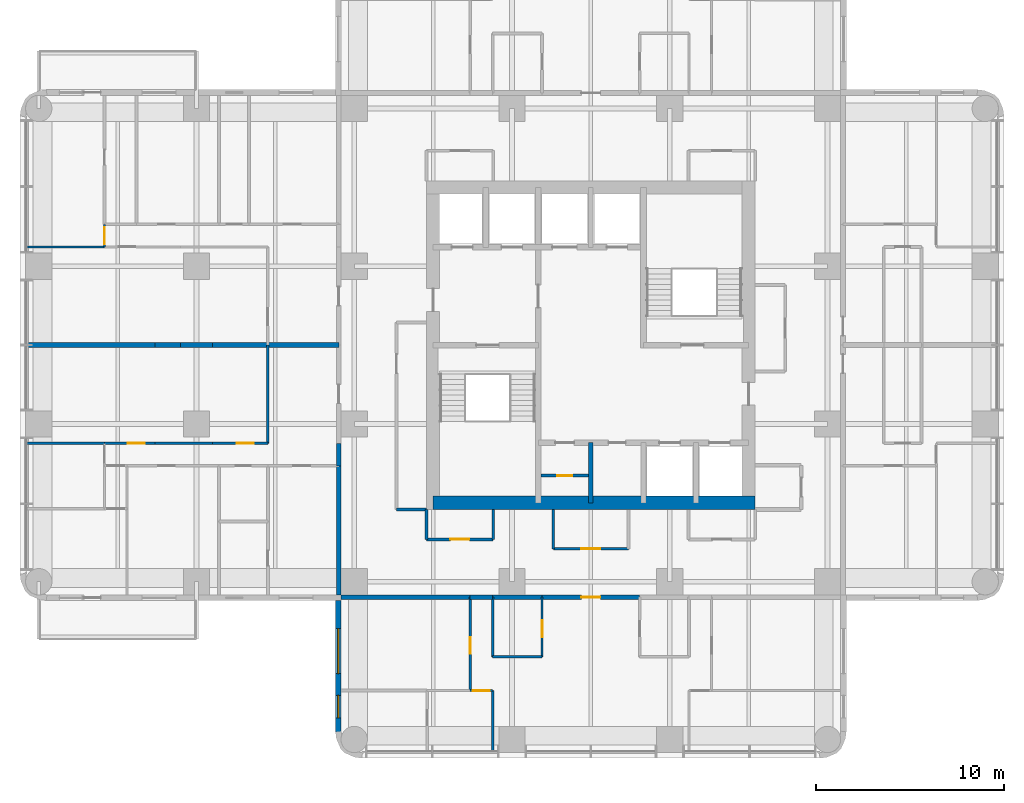
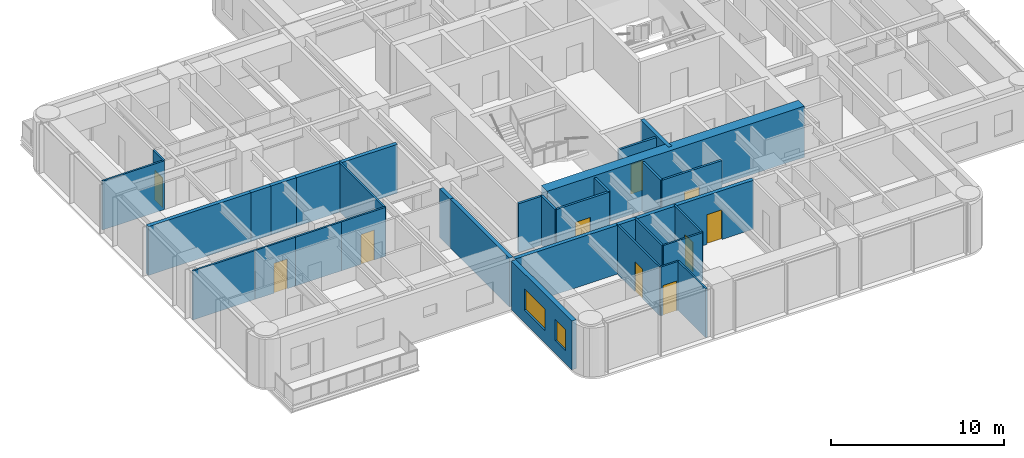
# One storey, part 5 of 11: 34 walls, 10 doors, 2 windows, 12 openings.
"""IFC4 building model written with IfcOpenShell, lengths in metres."""

from ifc_helpers import new_model, si_unit, direction, frame, frame_2d, origin, place, context, subcontext, project, spatial, rectangle, extrude, material, layer, layer_set, type_object, element, fill, save


model = new_model("IFC4")

# Units and contexts
model_context = context("Model", 3, precision=1e-05, world=origin(), true_north=direction((0.0, 1.0)))
body_context = subcontext(model_context, "Body", "Model", "MODEL_VIEW")
ifc_project = project(units=[si_unit("LENGTHUNIT", "METRE"), si_unit("AREAUNIT", "SQUARE_METRE"), si_unit("VOLUMEUNIT", "CUBIC_METRE"), si_unit("PLANEANGLEUNIT", "RADIAN"), si_unit("MASSUNIT", "GRAM", prefix="KILO")], contexts=[model_context])

# Site, building, storey
site_placement = place(None, origin())
site = spatial("IfcSite", under=ifc_project, at=site_placement, CompositionType="ELEMENT")
building_placement = place(site_placement, origin())
building = spatial("IfcBuilding", under=site, at=building_placement, Name="Torre Alcanfor", CompositionType="ELEMENT")
storey_placement = place(building_placement, frame((0.0, 0.0, 197.699951171875)))
storey = spatial("IfcBuildingStorey", under=building, at=storey_placement, Name="L51", CompositionType="ELEMENT", Elevation=197.699951171875)

# Wall, opening, door
ifc_material_1 = material(Name="Concrete block masonry, hollow blocks NMX-C-404 9 MPa", Category="masonry")
ifc_layer_1 = layer(ifc_material_1, 0.25)
ifc_layer_set_1 = layer_set([ifc_layer_1], Name="Apartment entrance wall 250 EI 60")
wall_type_1 = type_object("IfcWallType", Name="Apartment entrance wall 250 EI 60", PredefinedType="PARTITIONING", material=ifc_layer_set_1)
wall_1_placement = place(storey_placement, frame((32.0, 15.97509765625, 0.0), z_axis=(0.0, 0.0, 1.0), x_axis=(-1.0, 0.0, 0.0)))
wall_1 = element("IfcWall", 1, at=wall_1_placement, inside=storey, type_object=wall_type_1, Name="Partition L51-CORR / L51-SX-ZAG", PredefinedType="PARTITIONING", context=body_context, shape_type="SweptSolid", body=[
    extrude(rectangle(XDim=5.199951171875, YDim=0.25, at=frame_2d((2.60009765625, 0.0))), origin(), (0.0, 0.0, 1.0), 3.449951171875),
])
opening_1_placement = place(wall_1_placement, frame((2.10009765625, 0.0, 0.0)))
opening_1 = element("IfcOpeningElement", 2, at=opening_1_placement, cuts=wall_1, Name="Opening D-A1", PredefinedType="OPENING", context=body_context, shape_type="SweptSolid", body=[
    extrude(rectangle(XDim=1.0, YDim=2.10009765625, at=frame_2d((0.5, 1.050048828125))), frame((0.0, 0.135009765625, 0.0), z_axis=(0.0, -1.0, 0.0), x_axis=(1.0, 0.0, 0.0)), (0.0, 0.0, 1.0), 0.27001953125),
])
ifc_material_2 = material(Name="Galvanised steel sheet ASTM A653", Category="steel")
door_type_1 = type_object("IfcDoorType", Name="Apartment entrance door FD60 1000x2100", OperationType="SINGLE_SWING_LEFT", PredefinedType="DOOR", material=ifc_material_2)
door_1_placement = place(opening_1_placement, origin())
door_1 = element("IfcDoor", 3, at=door_1_placement, inside=storey, type_object=door_type_1, Name="Apartment entrance L51-SX", OperationType="SINGLE_SWING_LEFT", OverallHeight=2.10009765625, OverallWidth=1.0, PredefinedType="DOOR", context=body_context, shape_type="SweptSolid", body=[
    extrude(rectangle(XDim=1.0, YDim=2.10009765625, at=frame_2d((0.5, 1.050048828125))), frame((0.0, 0.02490234375, 0.0), z_axis=(0.0, -1.0, 0.0), x_axis=(1.0, 0.0, 0.0)), (0.0, 0.0, 1.0), 0.050048828125),
])
fill(opening_1, door_1)

# Walls
wall_2_placement = place(storey_placement, frame((26.800048828125, 15.97509765625, 0.0), z_axis=(0.0, 0.0, 1.0), x_axis=(-1.0, 0.0, 0.0)))
element("IfcWall", 4, at=wall_2_placement, inside=storey, type_object=wall_type_1, Name="Partition L51-CORR / L51-SX-KITCHEN", PredefinedType="PARTITIONING", context=body_context, shape_type="SweptSolid", body=[
    extrude(rectangle(XDim=2.629150390625, YDim=0.25, at=frame_2d((1.314453125, 0.0))), origin(), (0.0, 0.0, 1.0), 3.449951171875),
])
wall_3_placement = place(storey_placement, frame((24.1708984375, 15.97509765625, 0.0), z_axis=(0.0, 0.0, 1.0), x_axis=(-1.0, 0.0, 0.0)))
element("IfcWall", 5, at=wall_3_placement, inside=storey, type_object=wall_type_1, Name="Partition L51-CORR / L51-SX-LIVING", PredefinedType="PARTITIONING", context=body_context, shape_type="SweptSolid", body=[
    extrude(rectangle(XDim=1.199951171875, YDim=0.25, at=frame_2d((0.60009765625, 0.0))), origin(), (0.0, 0.0, 1.0), 3.449951171875),
])
wall_4_placement = place(storey_placement, frame((22.970947265625, 15.97509765625, 0.0), z_axis=(0.0, 0.0, 1.0), x_axis=(-1.0, 0.0, 0.0)))
element("IfcWall", 6, at=wall_4_placement, inside=storey, type_object=wall_type_1, Name="Partition L51-CORR / L51-SX-BED3", PredefinedType="PARTITIONING", context=body_context, shape_type="SweptSolid", body=[
    extrude(rectangle(XDim=6.870849609375, YDim=0.25, at=frame_2d((3.435546875, 0.0))), origin(), (0.0, 0.0, 1.0), 3.449951171875),
])
wall_5_placement = place(storey_placement, frame((15.97509765625, 22.970947265625, 0.0), z_axis=(0.0, 0.0, 1.0), x_axis=(0.0, 1.0, 0.0)))
element("IfcWall", 7, at=wall_5_placement, inside=storey, type_object=wall_type_1, Name="Partition L51-CORR / L51-W1-HALL", PredefinedType="PARTITIONING", context=body_context, shape_type="SweptSolid", body=[
    extrude(rectangle(XDim=1.199951171875, YDim=0.25, at=frame_2d((0.60009765625, 0.0))), origin(), (0.0, 0.0, 1.0), 3.449951171875),
])
wall_6_placement = place(storey_placement, frame((15.97509765625, 16.10009765625, 0.0), z_axis=(0.0, 0.0, 1.0), x_axis=(0.0, 1.0, 0.0)))
element("IfcWall", 8, at=wall_6_placement, inside=storey, type_object=wall_type_1, Name="Partition L51-CORR / L51-W1-SERV", PredefinedType="PARTITIONING", context=body_context, shape_type="SweptSolid", body=[
    extrude(rectangle(XDim=6.870849609375, YDim=0.25, at=frame_2d((3.435546875, 0.0))), origin(), (0.0, 0.0, 1.0), 3.449951171875),
])

# Wall, opening, door
ifc_material_3 = material(Name="Gypsum board on steel studs", Category="steel")
ifc_layer_2 = layer(ifc_material_3, 0.1201171875)
ifc_layer_set_2 = layer_set([ifc_layer_2], Name="Apartment partition 120")
wall_type_2 = type_object("IfcWallType", Name="Apartment partition 120", PredefinedType="PARTITIONING", material=ifc_layer_set_2)
wall_7_placement = place(storey_placement, frame((26.800048828125, 15.97509765625, 0.0), z_axis=(0.0, 0.0, 1.0), x_axis=(0.0, -1.0, 0.0)))
wall_7 = element("IfcWall", 9, at=wall_7_placement, inside=storey, type_object=wall_type_2, Name="Partition L51-SX-ZAG / L51-SX-KITCHEN", PredefinedType="PARTITIONING", context=body_context, shape_type="SweptSolid", body=[
    extrude(rectangle(XDim=3.175048828125, YDim=0.1201171875, at=frame_2d((1.58740234375, 0.0))), origin(), (0.0, 0.0, 1.0), 3.449951171875),
])
opening_2_placement = place(wall_7_placement, frame((1.22509765625, 0.0, 0.0)))
opening_2 = element("IfcOpeningElement", 10, at=opening_2_placement, cuts=wall_7, Name="Opening D-R1", PredefinedType="OPENING", context=body_context, shape_type="SweptSolid", body=[
    extrude(rectangle(XDim=0.89990234375, YDim=2.10009765625, at=frame_2d((0.449951171875, 1.050048828125))), frame((0.0, 0.070068359375, 0.0), z_axis=(0.0, -1.0, 0.0), x_axis=(1.0, 0.0, 0.0)), (0.0, 0.0, 1.0), 0.14013671875),
])
ifc_material_4 = material(Name="Timber", Category="wood")
door_type_2 = type_object("IfcDoorType", Name="Internal door 900x2100", OperationType="SINGLE_SWING_LEFT", PredefinedType="DOOR", material=ifc_material_4)
door_2_placement = place(opening_2_placement, frame((0.89990234375, 0.0, 0.0), z_axis=(0.0, 0.0, 1.0), x_axis=(-1.0, 0.0, 0.0)))
door_2 = element("IfcDoor", 11, at=door_2_placement, inside=storey, type_object=door_type_2, Name="Door L51-SX kitchen", OperationType="SINGLE_SWING_LEFT", OverallHeight=2.10009765625, OverallWidth=0.89990234375, PredefinedType="DOOR", context=body_context, shape_type="SweptSolid", body=[
    extrude(rectangle(XDim=0.89990234375, YDim=2.10009765625, at=frame_2d((0.449951171875, 1.050048828125))), frame((0.0, 0.025146484375, 0.0), z_axis=(0.0, -1.0, 0.0), x_axis=(1.0, 0.0, 0.0)), (0.0, 0.0, 1.0), 0.050048828125),
])
fill(opening_2, door_2)

# Walls
wall_8_placement = place(storey_placement, frame((24.1708984375, 15.97509765625, 0.0), z_axis=(0.0, 0.0, 1.0), x_axis=(0.0, -1.0, 0.0)))
element("IfcWall", 12, at=wall_8_placement, inside=storey, type_object=wall_type_2, Name="Partition L51-SX-KITCHEN / L51-SX-LIVING", PredefinedType="PARTITIONING", context=body_context, shape_type="SweptSolid", body=[
    extrude(rectangle(XDim=3.175048828125, YDim=0.1201171875, at=frame_2d((1.58740234375, 0.0))), origin(), (0.0, 0.0, 1.0), 3.449951171875),
])
wall_9_placement = place(storey_placement, frame((24.1708984375, 12.800048828125, 0.0), z_axis=(0.0, 0.0, 1.0), x_axis=(1.0, 0.0, 0.0)))
element("IfcWall", 13, at=wall_9_placement, inside=storey, type_object=wall_type_2, Name="Partition L51-SX-KITCHEN / L51-SX-LIVING", PredefinedType="PARTITIONING", context=body_context, shape_type="SweptSolid", body=[
    extrude(rectangle(XDim=2.629150390625, YDim=0.1201171875, at=frame_2d((1.314453125, 0.0))), origin(), (0.0, 0.0, 1.0), 3.449951171875),
])

# Wall, opening, door
wall_10_placement = place(storey_placement, frame((22.970947265625, 11.0, 0.0), z_axis=(0.0, 0.0, 1.0), x_axis=(0.0, 1.0, 0.0)))
wall_10 = element("IfcWall", 14, at=wall_10_placement, inside=storey, type_object=wall_type_2, Name="Partition L51-SX-LIVING / L51-SX-BED3", PredefinedType="PARTITIONING", context=body_context, shape_type="SweptSolid", body=[
    extrude(rectangle(XDim=4.97509765625, YDim=0.1201171875, at=frame_2d((2.487548828125, 0.0))), origin(), (0.0, 0.0, 1.0), 3.449951171875),
])
opening_3_placement = place(wall_10_placement, frame((1.949951171875, 0.0, 0.0)))
opening_3 = element("IfcOpeningElement", 15, at=opening_3_placement, cuts=wall_10, Name="Opening D-R1", PredefinedType="OPENING", context=body_context, shape_type="SweptSolid", body=[
    extrude(rectangle(XDim=0.89990234375, YDim=2.10009765625, at=frame_2d((0.449951171875, 1.050048828125))), frame((0.0, 0.070068359375, 0.0), z_axis=(0.0, -1.0, 0.0), x_axis=(1.0, 0.0, 0.0)), (0.0, 0.0, 1.0), 0.14013671875),
])
door_3_placement = place(opening_3_placement, origin())
door_3 = element("IfcDoor", 16, at=door_3_placement, inside=storey, type_object=door_type_2, Name="Door L51-SX bed3", OperationType="SINGLE_SWING_LEFT", OverallHeight=2.10009765625, OverallWidth=0.89990234375, PredefinedType="DOOR", context=body_context, shape_type="SweptSolid", body=[
    extrude(rectangle(XDim=0.89990234375, YDim=2.10009765625, at=frame_2d((0.449951171875, 1.050048828125))), frame((0.0, 0.02490234375, 0.0), z_axis=(0.0, -1.0, 0.0), x_axis=(1.0, 0.0, 0.0)), (0.0, 0.0, 1.0), 0.050048828125),
])
fill(opening_3, door_3)

# Wall
wall_11_placement = place(storey_placement, frame((24.1708984375, 7.75, 0.0), z_axis=(0.0, 0.0, 1.0), x_axis=(0.0, 1.0, 0.0)))
element("IfcWall", 17, at=wall_11_placement, inside=storey, type_object=wall_type_2, Name="Partition L51-SX-LIVING / L51-SX-BED1", PredefinedType="PARTITIONING", context=body_context, shape_type="SweptSolid", body=[
    extrude(rectangle(XDim=3.25, YDim=0.1201171875, at=frame_2d((1.625, 0.0))), origin(), (0.0, 0.0, 1.0), 3.449951171875),
])

# Wall, opening, door
wall_12_placement = place(storey_placement, frame((24.1708984375, 11.0, 0.0), z_axis=(0.0, 0.0, 1.0), x_axis=(-1.0, 0.0, 0.0)))
wall_12 = element("IfcWall", 18, at=wall_12_placement, inside=storey, type_object=wall_type_2, Name="Partition L51-SX-LIVING / L51-SX-BED1", PredefinedType="PARTITIONING", context=body_context, shape_type="SweptSolid", body=[
    extrude(rectangle(XDim=1.199951171875, YDim=0.1201171875, at=frame_2d((0.60009765625, 0.0))), origin(), (0.0, 0.0, 1.0), 3.449951171875),
])
opening_4_placement = place(wall_12_placement, frame((0.15087890625, 0.0, 0.0)))
opening_4 = element("IfcOpeningElement", 19, at=opening_4_placement, cuts=wall_12, Name="Opening D-R1", PredefinedType="OPENING", context=body_context, shape_type="SweptSolid", body=[
    extrude(rectangle(XDim=0.89990234375, YDim=2.10009765625, at=frame_2d((0.449951171875, 1.050048828125))), frame((0.0, 0.070068359375, 0.0), z_axis=(0.0, -1.0, 0.0), x_axis=(1.0, 0.0, 0.0)), (0.0, 0.0, 1.0), 0.14013671875),
])
door_4_placement = place(opening_4_placement, origin())
door_4 = element("IfcDoor", 20, at=door_4_placement, inside=storey, type_object=door_type_2, Name="Door L51-SX bed1", OperationType="SINGLE_SWING_LEFT", OverallHeight=2.10009765625, OverallWidth=0.89990234375, PredefinedType="DOOR", context=body_context, shape_type="SweptSolid", body=[
    extrude(rectangle(XDim=0.89990234375, YDim=2.10009765625, at=frame_2d((0.449951171875, 1.050048828125))), frame((0.0, 0.02490234375, 0.0), z_axis=(0.0, -1.0, 0.0), x_axis=(1.0, 0.0, 0.0)), (0.0, 0.0, 1.0), 0.050048828125),
])
fill(opening_4, door_4)

# Wall
wall_13_placement = place(storey_placement, frame((12.199951171875, 29.39990234375, 0.0), z_axis=(0.0, 0.0, 1.0), x_axis=(0.0, -1.0, 0.0)))
element("IfcWall", 21, at=wall_13_placement, inside=storey, type_object=wall_type_2, Name="Partition L51-W1-ZAG / L51-W1-LAUND", PredefinedType="PARTITIONING", context=body_context, shape_type="SweptSolid", body=[
    extrude(rectangle(XDim=5.22900390625, YDim=0.1201171875, at=frame_2d((2.614501953125, 0.0))), origin(), (0.0, 0.0, 1.0), 3.449951171875),
])

# Wall, opening, door
wall_14_placement = place(storey_placement, frame((9.25, 24.1708984375, 0.0), z_axis=(0.0, 0.0, 1.0), x_axis=(1.0, 0.0, 0.0)))
wall_14 = element("IfcWall", 22, at=wall_14_placement, inside=storey, type_object=wall_type_2, Name="Partition L51-W1-LAUND / L51-W1-HALL", PredefinedType="PARTITIONING", context=body_context, shape_type="SweptSolid", body=[
    extrude(rectangle(XDim=2.949951171875, YDim=0.1201171875, at=frame_2d((1.47509765625, 0.0))), origin(), (0.0, 0.0, 1.0), 3.449951171875),
])
opening_5_placement = place(wall_14_placement, frame((1.300048828125, 0.0, 0.0)))
opening_5 = element("IfcOpeningElement", 23, at=opening_5_placement, cuts=wall_14, Name="Opening D-R1", PredefinedType="OPENING", context=body_context, shape_type="SweptSolid", body=[
    extrude(rectangle(XDim=0.89990234375, YDim=2.10009765625, at=frame_2d((0.449951171875, 1.050048828125))), frame((0.0, 0.070068359375, 0.0), z_axis=(0.0, -1.0, 0.0), x_axis=(1.0, 0.0, 0.0)), (0.0, 0.0, 1.0), 0.14013671875),
])
door_5_placement = place(opening_5_placement, origin())
door_5 = element("IfcDoor", 24, at=door_5_placement, inside=storey, type_object=door_type_2, Name="Door L51-W1 laund", OperationType="SINGLE_SWING_RIGHT", OverallHeight=2.10009765625, OverallWidth=0.89990234375, PredefinedType="DOOR", context=body_context, shape_type="SweptSolid", body=[
    extrude(rectangle(XDim=0.89990234375, YDim=2.10009765625, at=frame_2d((0.449951171875, 1.050048828125))), frame((0.0, 0.02490234375, 0.0), z_axis=(0.0, -1.0, 0.0), x_axis=(1.0, 0.0, 0.0)), (0.0, 0.0, 1.0), 0.050048828125),
])
fill(opening_5, door_5)

# Wall
wall_15_placement = place(storey_placement, frame((6.199951171875, 24.1708984375, 0.0), z_axis=(0.0, 0.0, 1.0), x_axis=(1.0, 0.0, 0.0)))
element("IfcWall", 25, at=wall_15_placement, inside=storey, type_object=wall_type_2, Name="Partition L51-W1-KITCHEN / L51-W1-HALL", PredefinedType="PARTITIONING", context=body_context, shape_type="SweptSolid", body=[
    extrude(rectangle(XDim=3.050048828125, YDim=0.1201171875, at=frame_2d((1.52490234375, 0.0))), origin(), (0.0, 0.0, 1.0), 3.449951171875),
])

# Wall, opening, door
wall_16_placement = place(storey_placement, frame((3.5, 24.1708984375, 0.0), z_axis=(0.0, 0.0, 1.0), x_axis=(1.0, 0.0, 0.0)))
wall_16 = element("IfcWall", 26, at=wall_16_placement, inside=storey, type_object=wall_type_2, Name="Partition L51-W1-LIVING / L51-W1-HALL", PredefinedType="PARTITIONING", context=body_context, shape_type="SweptSolid", body=[
    extrude(rectangle(XDim=2.699951171875, YDim=0.1201171875, at=frame_2d((1.35009765625, 0.0))), origin(), (0.0, 0.0, 1.0), 3.449951171875),
])
opening_6_placement = place(wall_16_placement, frame((1.25, 0.0, 0.0)))
opening_6 = element("IfcOpeningElement", 27, at=opening_6_placement, cuts=wall_16, Name="Opening D-R1", PredefinedType="OPENING", context=body_context, shape_type="SweptSolid", body=[
    extrude(rectangle(XDim=0.89990234375, YDim=2.10009765625, at=frame_2d((0.449951171875, 1.050048828125))), frame((0.0, 0.070068359375, 0.0), z_axis=(0.0, -1.0, 0.0), x_axis=(1.0, 0.0, 0.0)), (0.0, 0.0, 1.0), 0.14013671875),
])
door_6_placement = place(opening_6_placement, origin())
door_6 = element("IfcDoor", 28, at=door_6_placement, inside=storey, type_object=door_type_2, Name="Door L51-W1 living", OperationType="SINGLE_SWING_RIGHT", OverallHeight=2.10009765625, OverallWidth=0.89990234375, PredefinedType="DOOR", context=body_context, shape_type="SweptSolid", body=[
    extrude(rectangle(XDim=0.89990234375, YDim=2.10009765625, at=frame_2d((0.449951171875, 1.050048828125))), frame((0.0, 0.02490234375, 0.0), z_axis=(0.0, -1.0, 0.0), x_axis=(1.0, 0.0, 0.0)), (0.0, 0.0, 1.0), 0.050048828125),
])
fill(opening_6, door_6)

# Walls
for number, where, z_axis, x_axis, name in (
    (29, (-0.64990234375, 24.1708984375, 0.0), (0.0, 0.0, 1.0), (1.0, 0.0, 0.0), "Partition L51-W1-LIVING / L51-W1-BED2"),
    (30, (-0.64990234375, 34.62890625, 0.0), (0.0, 0.0, 1.0), (1.0, 0.0, 0.0), "Partition L51-W2-LIVING / L51-W2-MASTER"),
):
    element("IfcWall", number, at=place(storey_placement, frame(where, z_axis=z_axis, x_axis=x_axis)), inside=storey, type_object=wall_type_2, Name=name, PredefinedType="PARTITIONING", context=body_context, shape_type="SweptSolid", body=[
        extrude(rectangle(XDim=4.14990234375, YDim=0.1201171875, at=frame_2d((2.074951171875, 0.0))), origin(), (0.0, 0.0, 1.0), 3.449951171875),
    ])

# Wall, opening, door
wall_17_placement = place(storey_placement, frame((3.5, 34.62890625, 0.0), z_axis=(0.0, 0.0, 1.0), x_axis=(0.0, 1.0, 0.0)))
wall_17 = element("IfcWall", 31, at=wall_17_placement, inside=storey, type_object=wall_type_2, Name="Partition L51-W2-HALL / L51-W2-MASTER", PredefinedType="PARTITIONING", context=body_context, shape_type="SweptSolid", body=[
    extrude(rectangle(XDim=1.2001953125, YDim=0.1201171875, at=frame_2d((0.60009765625, 0.0))), origin(), (0.0, 0.0, 1.0), 3.449951171875),
])
opening_7_placement = place(wall_17_placement, frame((0.15087890625, 0.0, 0.0)))
opening_7 = element("IfcOpeningElement", 32, at=opening_7_placement, cuts=wall_17, Name="Opening D-R1", PredefinedType="OPENING", context=body_context, shape_type="SweptSolid", body=[
    extrude(rectangle(XDim=0.89990234375, YDim=2.10009765625, at=frame_2d((0.449951171875, 1.050048828125))), frame((0.0, 0.070068359375, 0.0), z_axis=(0.0, -1.0, 0.0), x_axis=(1.0, 0.0, 0.0)), (0.0, 0.0, 1.0), 0.14013671875),
])
door_7_placement = place(opening_7_placement, origin())
door_7 = element("IfcDoor", 33, at=door_7_placement, inside=storey, type_object=door_type_2, Name="Door L51-W2 master", OperationType="SINGLE_SWING_LEFT", OverallHeight=2.10009765625, OverallWidth=0.89990234375, PredefinedType="DOOR", context=body_context, shape_type="SweptSolid", body=[
    extrude(rectangle(XDim=0.89990234375, YDim=2.10009765625, at=frame_2d((0.449951171875, 1.050048828125))), frame((0.0, 0.02490234375, 0.0), z_axis=(0.0, -1.0, 0.0), x_axis=(1.0, 0.0, 0.0)), (0.0, 0.0, 1.0), 0.050048828125),
])
fill(opening_7, door_7)

# Walls
ifc_material_5 = material(Name="Concrete f'c 70 MPa", Category="concrete")
ifc_layer_3 = layer(ifc_material_5, 0.25)
ifc_layer_set_3 = layer_set([ifc_layer_3], Name="Core shaft wall 250 f'c70")
wall_type_3 = type_object("IfcWallType", Name="Core shaft wall 250 f'c70", PredefinedType="SHEAR", material=ifc_layer_set_3)
wall_18_placement = place(storey_placement, frame((29.39990234375, 21.0, 0.0), z_axis=(0.0, 0.0, 1.0), x_axis=(0.0, 1.0, 0.0)))
element("IfcWall", 34, at=wall_18_placement, inside=storey, type_object=wall_type_3, Name="Core wall X294S L51", PredefinedType="SHEAR", context=body_context, shape_type="SweptSolid", body=[
    extrude(rectangle(XDim=3.199951171875, YDim=0.25, at=frame_2d((1.60009765625, 0.0))), origin(), (0.0, 0.0, 1.0), 3.60009765625),
])
ifc_material_6 = material(Name="Concrete f'c 70 MPa", Category="concrete")
ifc_layer_4 = layer(ifc_material_6, 0.699951171875)
ifc_layer_set_4 = layer_set([ifc_layer_4], Name="Core wall 700 f'c70")
wall_type_4 = type_object("IfcWallType", Name="Core wall 700 f'c70", PredefinedType="SHEAR", material=ifc_layer_set_4)
wall_19_placement = place(storey_placement, frame((21.0, 21.0, 0.0), z_axis=(0.0, 0.0, 1.0), x_axis=(1.0, 0.0, 0.0)))
element("IfcWall", 35, at=wall_19_placement, inside=storey, type_object=wall_type_4, Name="Core wall OUT-S L51", PredefinedType="SHEAR", context=body_context, shape_type="SweptSolid", body=[
    extrude(rectangle(XDim=17.14990234375, YDim=0.699951171875, at=frame_2d((8.574951171875, 0.0))), origin(), (0.0, 0.0, 1.0), 3.60009765625),
])

# Wall, openings, windows
ifc_material_7 = material(Name="Limestone cladding", Category="masonry")
ifc_layer_5 = layer(ifc_material_7, 0.0400390625, Name="Facing")
ifc_material_8 = material(Name="Ventilated air cavity")
ifc_layer_6 = layer(ifc_material_8, 0.02001953125, ventilated=True, Name="Ventilated joint")
ifc_material_9 = material(Name="Mineral wool insulation", Category="insulation")
ifc_layer_7 = layer(ifc_material_9, 0.10009765625, Name="Insulation")
ifc_material_10 = material(Name="Concrete f'c 35 MPa", Category="concrete")
ifc_layer_8 = layer(ifc_material_10, 0.139892578125, Name="Backing")
ifc_layer_set_5 = layer_set([ifc_layer_5, ifc_layer_6, ifc_layer_7, ifc_layer_8], Name="External wall stone-clad 300")
wall_type_5 = type_object("IfcWallType", Name="External wall stone-clad 300", PredefinedType="SOLIDWALL", material=ifc_layer_set_5)
wall_20_placement = place(storey_placement, frame((15.949951171875, 15.800048828125, 0.0), z_axis=(0.0, 0.0, 1.0), x_axis=(0.0, -1.0, 0.0)))
wall_20 = element("IfcWall", 36, at=wall_20_placement, inside=storey, type_object=wall_type_5, Name="External wall L51 4", PredefinedType="SOLIDWALL", context=body_context, shape_type="SweptSolid", body=[
    extrude(rectangle(XDim=7.0, YDim=0.300048828125, at=frame_2d((3.5, 0.0))), origin(), (0.0, 0.0, 1.0), 3.449951171875),
])
opening_8_placement = place(wall_20_placement, frame((1.5, 0.0, 0.89990234375)))
opening_8 = element("IfcOpeningElement", 37, at=opening_8_placement, cuts=wall_20, Name="Opening W1", PredefinedType="OPENING", context=body_context, shape_type="SweptSolid", body=[
    extrude(rectangle(XDim=2.39990234375, YDim=1.5, at=frame_2d((1.199951171875, 0.75))), frame((0.0, 0.159912109375, 0.0), z_axis=(0.0, -1.0, 0.0), x_axis=(1.0, 0.0, 0.0)), (0.0, 0.0, 1.0), 0.320068359375),
])
opening_9_placement = place(wall_20_placement, frame((5.050048828125, 0.0, 0.89990234375)))
opening_9 = element("IfcOpeningElement", 38, at=opening_9_placement, cuts=wall_20, Name="Opening W4", PredefinedType="OPENING", context=body_context, shape_type="SweptSolid", body=[
    extrude(rectangle(XDim=1.199951171875, YDim=1.5, at=frame_2d((0.60009765625, 0.75))), frame((0.0, 0.159912109375, 0.0), z_axis=(0.0, -1.0, 0.0), x_axis=(1.0, 0.0, 0.0)), (0.0, 0.0, 1.0), 0.320068359375),
])
ifc_material_11 = material(Name="Aluminium frame with clear double glazing", Category="aluminium")
window_type_1 = type_object("IfcWindowType", Name="Window bedroom 1200x1500", PartitioningType="SINGLE_PANEL", PredefinedType="WINDOW", material=ifc_material_11)
window_1_placement = place(opening_9_placement, origin())
window_1 = element("IfcWindow", 39, at=window_1_placement, inside=storey, type_object=window_type_1, Name="Window W4 L51-S2", OverallHeight=1.5, OverallWidth=1.199951171875, PartitioningType="SINGLE_PANEL", PredefinedType="WINDOW", context=body_context, shape_type="SweptSolid", body=[
    extrude(rectangle(XDim=1.199951171875, YDim=1.5, at=frame_2d((0.60009765625, 0.75))), frame((0.0, 0.030029296875, 0.0), z_axis=(0.0, -1.0, 0.0), x_axis=(1.0, 0.0, 0.0)), (0.0, 0.0, 1.0), 0.06005859375),
])
fill(opening_9, window_1)
ifc_material_12 = material(Name="Aluminium frame with clear double glazing", Category="aluminium")
window_type_2 = type_object("IfcWindowType", Name="Window bedroom 2400x1500", PartitioningType="SINGLE_PANEL", PredefinedType="WINDOW", material=ifc_material_12)
window_2_placement = place(opening_8_placement, origin())
window_2 = element("IfcWindow", 40, at=window_2_placement, inside=storey, type_object=window_type_2, Name="Window W1 L51-S2", OverallHeight=1.5, OverallWidth=2.39990234375, PartitioningType="SINGLE_PANEL", PredefinedType="WINDOW", context=body_context, shape_type="SweptSolid", body=[
    extrude(rectangle(XDim=2.39990234375, YDim=1.5, at=frame_2d((1.199951171875, 0.75))), frame((0.0, 0.030029296875, 0.0), z_axis=(0.0, -1.0, 0.0), x_axis=(1.0, 0.0, 0.0)), (0.0, 0.0, 1.0), 0.06005859375),
])
fill(opening_8, window_2)

# Walls
ifc_material_13 = material(Name="Concrete block masonry, hollow blocks NMX-C-404 9 MPa", Category="masonry")
ifc_layer_9 = layer(ifc_material_13, 0.25)
ifc_layer_set_6 = layer_set([ifc_layer_9], Name="Party wall 250 EI 60")
wall_type_6 = type_object("IfcWallType", Name="Party wall 250 EI 60", PredefinedType="PARTITIONING", material=ifc_layer_set_6)
wall_21_placement = place(storey_placement, frame((15.97509765625, 29.39990234375, 0.0), z_axis=(0.0, 0.0, 1.0), x_axis=(-1.0, 0.0, 0.0)))
element("IfcWall", 41, at=wall_21_placement, inside=storey, type_object=wall_type_6, Name="Partition L51-W1-ZAG / L51-W2-ZAG", PredefinedType="PARTITIONING", context=body_context, shape_type="SweptSolid", body=[
    extrude(rectangle(XDim=3.775146484375, YDim=0.25, at=frame_2d((1.8876953125, 0.0))), origin(), (0.0, 0.0, 1.0), 3.449951171875),
])
wall_22_placement = place(storey_placement, frame((12.199951171875, 29.39990234375, 0.0), z_axis=(0.0, 0.0, 1.0), x_axis=(-1.0, 0.0, 0.0)))
element("IfcWall", 42, at=wall_22_placement, inside=storey, type_object=wall_type_6, Name="Partition L51-W1-LAUND / L51-W2-KITCHEN", PredefinedType="PARTITIONING", context=body_context, shape_type="SweptSolid", body=[
    extrude(rectangle(XDim=2.949951171875, YDim=0.25, at=frame_2d((1.47509765625, 0.0))), origin(), (0.0, 0.0, 1.0), 3.449951171875),
])
wall_23_placement = place(storey_placement, frame((9.25, 29.39990234375, 0.0), z_axis=(0.0, 0.0, 1.0), x_axis=(-1.0, 0.0, 0.0)))
element("IfcWall", 43, at=wall_23_placement, inside=storey, type_object=wall_type_6, Name="Partition L51-W1-KITCHEN / L51-W2-KITCHEN", PredefinedType="PARTITIONING", context=body_context, shape_type="SweptSolid", body=[
    extrude(rectangle(XDim=1.699951171875, YDim=0.25, at=frame_2d((0.85009765625, 0.0))), origin(), (0.0, 0.0, 1.0), 3.449951171875),
])
wall_24_placement = place(storey_placement, frame((7.550048828125, 29.39990234375, 0.0), z_axis=(0.0, 0.0, 1.0), x_axis=(-1.0, 0.0, 0.0)))
element("IfcWall", 44, at=wall_24_placement, inside=storey, type_object=wall_type_6, Name="Partition L51-W1-KITCHEN / L51-W2-LIVING", PredefinedType="PARTITIONING", context=body_context, shape_type="SweptSolid", body=[
    extrude(rectangle(XDim=1.35009765625, YDim=0.25, at=frame_2d((0.675048828125, 0.0))), origin(), (0.0, 0.0, 1.0), 3.449951171875),
])
wall_25_placement = place(storey_placement, frame((6.199951171875, 29.39990234375, 0.0), z_axis=(0.0, 0.0, 1.0), x_axis=(-1.0, 0.0, 0.0)))
element("IfcWall", 45, at=wall_25_placement, inside=storey, type_object=wall_type_6, Name="Partition L51-W1-LIVING / L51-W2-LIVING", PredefinedType="PARTITIONING", context=body_context, shape_type="SweptSolid", body=[
    extrude(rectangle(XDim=6.849853515625, YDim=0.25, at=frame_2d((3.4248046875, 0.0))), origin(), (0.0, 0.0, 1.0), 3.449951171875),
])
ifc_material_14 = material(Name="Concrete block masonry, hollow blocks NMX-C-404 9 MPa", Category="masonry")
ifc_layer_10 = layer(ifc_material_14, 0.14990234375)
ifc_layer_set_7 = layer_set([ifc_layer_10], Name="Residents' room partition 150")
wall_type_7 = type_object("IfcWallType", Name="Residents' room partition 150", PredefinedType="PARTITIONING", material=ifc_layer_set_7)
wall_26_placement = place(storey_placement, frame((20.64990234375, 20.64990234375, 0.0), z_axis=(0.0, 0.0, 1.0), x_axis=(0.0, -1.0, 0.0)))
element("IfcWall", 46, at=wall_26_placement, inside=storey, type_object=wall_type_7, Name="Partition L51-CORR / L51-G05", PredefinedType="PARTITIONING", context=body_context, shape_type="SweptSolid", body=[
    extrude(rectangle(XDim=1.599853515625, YDim=0.14990234375, at=frame_2d((0.7998046875, 0.0))), origin(), (0.0, 0.0, 1.0), 3.449951171875),
])

# Wall, opening, door
wall_27_placement = place(storey_placement, frame((20.64990234375, 19.050048828125, 0.0), z_axis=(0.0, 0.0, 1.0), x_axis=(1.0, 0.0, 0.0)))
wall_27 = element("IfcWall", 47, at=wall_27_placement, inside=storey, type_object=wall_type_7, Name="Partition L51-CORR / L51-G05", PredefinedType="PARTITIONING", context=body_context, shape_type="SweptSolid", body=[
    extrude(rectangle(XDim=3.550048828125, YDim=0.14990234375, at=frame_2d((1.77490234375, 0.0))), origin(), (0.0, 0.0, 1.0), 3.449951171875),
])
opening_10_placement = place(wall_27_placement, frame((1.27490234375, 0.0, 0.0)))
opening_10 = element("IfcOpeningElement", 48, at=opening_10_placement, cuts=wall_27, Name="Opening D-M1", PredefinedType="OPENING", context=body_context, shape_type="SweptSolid", body=[
    extrude(rectangle(XDim=1.0, YDim=2.10009765625, at=frame_2d((0.5, 1.050048828125))), frame((0.0, 0.0849609375, 0.0), z_axis=(0.0, -1.0, 0.0), x_axis=(1.0, 0.0, 0.0)), (0.0, 0.0, 1.0), 0.169921875),
])
ifc_material_15 = material(Name="Timber", Category="wood")
door_type_3 = type_object("IfcDoorType", Name="Residents' room door 1000x2100", OperationType="SINGLE_SWING_LEFT", PredefinedType="DOOR", material=ifc_material_15)
door_8_placement = place(opening_10_placement, origin())
door_8 = element("IfcDoor", 49, at=door_8_placement, inside=storey, type_object=door_type_3, Name="Door L51-G05 cleaners' store", OperationType="SINGLE_SWING_LEFT", OverallHeight=2.10009765625, OverallWidth=1.0, PredefinedType="DOOR", context=body_context, shape_type="SweptSolid", body=[
    extrude(rectangle(XDim=1.0, YDim=2.10009765625, at=frame_2d((0.5, 1.050048828125))), frame((0.0, 0.02490234375, 0.0), z_axis=(0.0, -1.0, 0.0), x_axis=(1.0, 0.0, 0.0)), (0.0, 0.0, 1.0), 0.050048828125),
])
fill(opening_10, door_8)

# Walls
wall_28_placement = place(storey_placement, frame((24.199951171875, 19.050048828125, 0.0), z_axis=(0.0, 0.0, 1.0), x_axis=(0.0, 1.0, 0.0)))
element("IfcWall", 50, at=wall_28_placement, inside=storey, type_object=wall_type_7, Name="Partition L51-CORR / L51-G05", PredefinedType="PARTITIONING", context=body_context, shape_type="SweptSolid", body=[
    extrude(rectangle(XDim=1.599853515625, YDim=0.14990234375, at=frame_2d((0.7998046875, 0.0))), origin(), (0.0, 0.0, 1.0), 3.449951171875),
])
wall_29_placement = place(storey_placement, frame((27.39990234375, 20.64990234375, 0.0), z_axis=(0.0, 0.0, 1.0), x_axis=(0.0, -1.0, 0.0)))
element("IfcWall", 51, at=wall_29_placement, inside=storey, type_object=wall_type_7, Name="Partition L51-CORR / L51-G06", PredefinedType="PARTITIONING", context=body_context, shape_type="SweptSolid", body=[
    extrude(rectangle(XDim=2.099853515625, YDim=0.14990234375, at=frame_2d((1.0498046875, 0.0))), origin(), (0.0, 0.0, 1.0), 3.449951171875),
])

# Wall, opening, door
wall_30_placement = place(storey_placement, frame((27.39990234375, 18.550048828125, 0.0), z_axis=(0.0, 0.0, 1.0), x_axis=(1.0, 0.0, 0.0)))
wall_30 = element("IfcWall", 52, at=wall_30_placement, inside=storey, type_object=wall_type_7, Name="Partition L51-CORR / L51-G06", PredefinedType="PARTITIONING", context=body_context, shape_type="SweptSolid", body=[
    extrude(rectangle(XDim=4.0, YDim=0.14990234375, at=frame_2d((2.0, 0.0))), origin(), (0.0, 0.0, 1.0), 3.449951171875),
])
opening_11_placement = place(wall_30_placement, frame((1.5, 0.0, 0.0)))
opening_11 = element("IfcOpeningElement", 53, at=opening_11_placement, cuts=wall_30, Name="Opening D-M1", PredefinedType="OPENING", context=body_context, shape_type="SweptSolid", body=[
    extrude(rectangle(XDim=1.0, YDim=2.10009765625, at=frame_2d((0.5, 1.050048828125))), frame((0.0, 0.0849609375, 0.0), z_axis=(0.0, -1.0, 0.0), x_axis=(1.0, 0.0, 0.0)), (0.0, 0.0, 1.0), 0.169921875),
])
door_9_placement = place(opening_11_placement, origin())
door_9 = element("IfcDoor", 54, at=door_9_placement, inside=storey, type_object=door_type_3, Name="Door L51-G06 linen store", OperationType="SINGLE_SWING_LEFT", OverallHeight=2.10009765625, OverallWidth=1.0, PredefinedType="DOOR", context=body_context, shape_type="SweptSolid", body=[
    extrude(rectangle(XDim=1.0, YDim=2.10009765625, at=frame_2d((0.5, 1.050048828125))), frame((0.0, 0.02490234375, 0.0), z_axis=(0.0, -1.0, 0.0), x_axis=(1.0, 0.0, 0.0)), (0.0, 0.0, 1.0), 0.050048828125),
])
fill(opening_11, door_9)

# Wall
wall_31_placement = place(storey_placement, frame((19.050048828125, 20.64990234375, 0.0), z_axis=(0.0, 0.0, 1.0), x_axis=(1.0, 0.0, 0.0)))
element("IfcWall", 55, at=wall_31_placement, inside=storey, type_object=wall_type_7, Name="Partition L51-CORR / L51-G08", PredefinedType="PARTITIONING", context=body_context, shape_type="SweptSolid", body=[
    extrude(rectangle(XDim=1.599853515625, YDim=0.14990234375, at=frame_2d((0.7998046875, 0.0))), origin(), (0.0, 0.0, 1.0), 3.449951171875),
])

# Wall, opening, door
wall_32_placement = place(storey_placement, frame((26.75, 22.449951171875, 0.0), z_axis=(0.0, 0.0, 1.0), x_axis=(1.0, 0.0, 0.0)))
wall_32 = element("IfcWall", 56, at=wall_32_placement, inside=storey, type_object=wall_type_7, Name="Partition L51-PA1R / L51-PA1C", PredefinedType="PARTITIONING", context=body_context, shape_type="SweptSolid", body=[
    extrude(rectangle(XDim=2.52490234375, YDim=0.14990234375, at=frame_2d((1.262451171875, 0.0))), origin(), (0.0, 0.0, 1.0), 3.449951171875),
])
opening_12_placement = place(wall_32_placement, frame((0.862548828125, 0.0, 0.0)))
opening_12 = element("IfcOpeningElement", 57, at=opening_12_placement, cuts=wall_32, Name="Opening D-R2", PredefinedType="OPENING", context=body_context, shape_type="SweptSolid", body=[
    extrude(rectangle(XDim=0.800048828125, YDim=2.10009765625, at=frame_2d((0.39990234375, 1.050048828125))), frame((0.0, 0.0849609375, 0.0), z_axis=(0.0, -1.0, 0.0), x_axis=(1.0, 0.0, 0.0)), (0.0, 0.0, 1.0), 0.169921875),
])
ifc_material_16 = material(Name="Timber", Category="wood")
door_type_4 = type_object("IfcDoorType", Name="Bathroom door 800x2100", OperationType="SINGLE_SWING_LEFT", PredefinedType="DOOR", material=ifc_material_16)
door_10_placement = place(opening_12_placement, frame((0.800048828125, 0.0, 0.0), z_axis=(0.0, 0.0, 1.0), x_axis=(-1.0, 0.0, 0.0)))
door_10 = element("IfcDoor", 58, at=door_10_placement, inside=storey, type_object=door_type_4, Name="Linen cupboard door L51", OperationType="SINGLE_SWING_RIGHT", OverallHeight=2.10009765625, OverallWidth=0.800048828125, PredefinedType="DOOR", context=body_context, shape_type="SweptSolid", body=[
    extrude(rectangle(XDim=0.800048828125, YDim=2.10009765625, at=frame_2d((0.400146484375, 1.050048828125))), frame((0.0, 0.025146484375, 0.0), z_axis=(0.0, -1.0, 0.0), x_axis=(1.0, 0.0, 0.0)), (0.0, 0.0, 1.0), 0.050048828125),
])
fill(opening_12, door_10)

save(model, "model.ifc")
